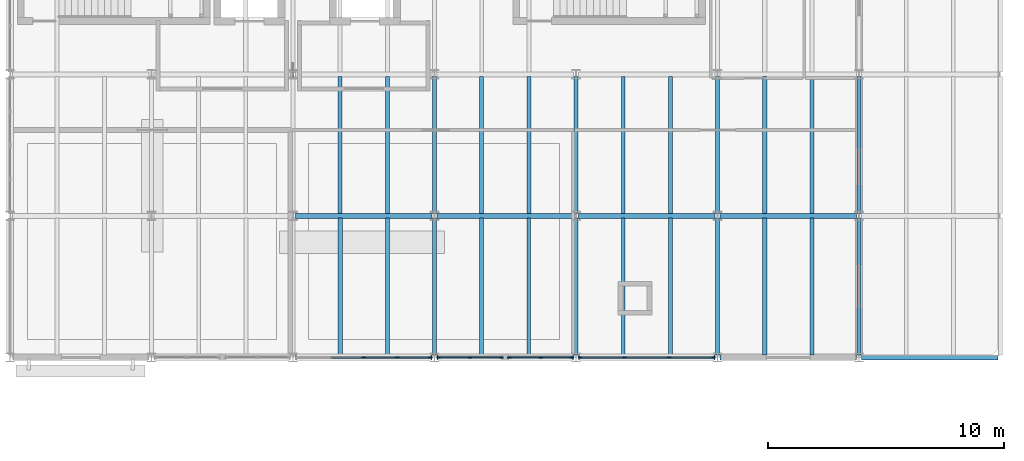
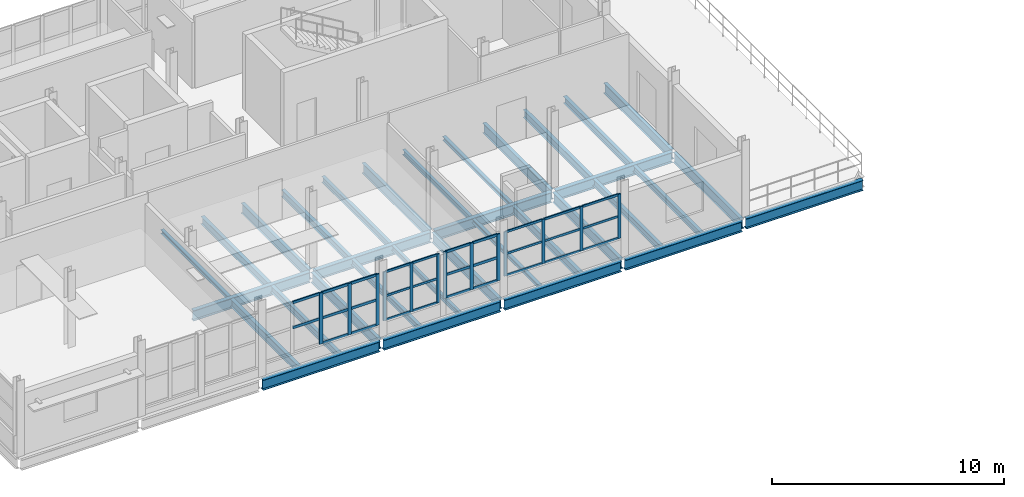
# One storey, part 15 of 45: 42 members, 33 beams, 4 elements without a shape of their own.
"""IFC4 building model written with IfcOpenShell, lengths in metres."""

from ifc_helpers import new_model, si_unit, direction, frame, origin, origin_2d, place, context, subcontext, project, spatial, rectangle, i_section, extrude, material, material_profile, profile_set, type_object, element, aggregate, save


model = new_model("IFC4")

# Units and contexts
model_context = context("Model", 3, precision=1e-05, world=origin(), true_north=direction((0.0, 1.0)))
body_context = subcontext(model_context, "Body", "Model", "MODEL_VIEW")
ifc_project = project(units=[si_unit("LENGTHUNIT", "METRE"), si_unit("AREAUNIT", "SQUARE_METRE"), si_unit("VOLUMEUNIT", "CUBIC_METRE"), si_unit("PLANEANGLEUNIT", "RADIAN"), si_unit("MASSUNIT", "GRAM", prefix="KILO")], contexts=[model_context])

# Site, building, storey
site_placement = place(None, origin())
site = spatial("IfcSite", under=ifc_project, at=site_placement, CompositionType="ELEMENT")
building_placement = place(site_placement, origin())
building = spatial("IfcBuilding", under=site, at=building_placement, Name="Siltcreek Boulevard Central Fire Station", CompositionType="ELEMENT")
storey_placement = place(building_placement, frame((0.0, 0.0, 10.0)))
storey = spatial("IfcBuildingStorey", under=building, at=storey_placement, Name="L03", CompositionType="ELEMENT", Elevation=10.0)

# Beams
ifc_material_1 = material(Name="Structural steel ASTM A992 Gr50", Category="steel")
ifc_material_profile_1 = material_profile(ifc_material_1, i_section(OverallWidth=0.2109375, OverallDepth=0.5390625, WebThickness=0.01171875, FlangeThickness=0.018798828125, at=origin_2d()), Name="W530X109")
ifc_profile_set_1 = profile_set([ifc_material_profile_1], Name="Structural steel ASTM A992 Gr50")
beam_type_1 = type_object("IfcBeamType", Name="BM_W530X109", PredefinedType="BEAM", material=ifc_profile_set_1)
for number, where, z_axis, x_axis, name in (
    (1, (136.300048828125, 88.199951171875, -0.549560546875), (1.0, 0.0, 0.0), (0.0, 1.0, 0.0), "L03 primary steel girder GX-0402"),
    (2, (142.300048828125, 88.199951171875, -0.549560546875), (1.0, 0.0, 0.0), (0.0, 1.0, 0.0), "L03 primary steel girder GX-0403"),
    (3, (148.300048828125, 88.199951171875, -0.549560546875), (1.0, 0.0, 0.0), (0.0, 1.0, 0.0), "L03 primary steel girder GX-0404"),
    (4, (154.300048828125, 88.199951171875, -0.549560546875), (1.0, 0.0, 0.0), (0.0, 1.0, 0.0), "L03 primary steel girder GX-0405"),
    (5, (160.300048828125, 88.199951171875, -0.4794921875), (1.0, 0.0, 0.0), (0.0, 1.0, 0.0), "L03 primary steel girder GX-0406"),
    (6, (136.300048828125, 94.199951171875, -0.549560546875), (1.0, 0.0, 0.0), (0.0, 1.0, 0.0), "L03 primary steel girder GX-0409"),
    (7, (142.300048828125, 94.199951171875, -0.549560546875), (1.0, 0.0, 0.0), (0.0, 1.0, 0.0), "L03 primary steel girder GX-0410"),
    (8, (148.300048828125, 94.199951171875, -0.549560546875), (1.0, 0.0, 0.0), (0.0, 1.0, 0.0), "L03 primary steel girder GX-0411"),
    (9, (154.300048828125, 94.199951171875, -0.549560546875), (1.0, 0.0, 0.0), (0.0, 1.0, 0.0), "L03 primary steel girder GX-0412"),
):
    element("IfcBeam", number, at=place(storey_placement, frame(where, z_axis=z_axis, x_axis=x_axis)), inside=storey, type_object=beam_type_1, Name=name, PredefinedType="BEAM", context=body_context, shape_type="SweptSolid", body=[
        extrude(i_section(OverallWidth=0.2109375, OverallDepth=0.5390625, WebThickness=0.01171875, FlangeThickness=0.018798828125, at=origin_2d()), origin(), (0.0, 0.0, 1.0), 5.800048828125),
    ])
ifc_material_profile_2 = material_profile(ifc_material_1, i_section(OverallWidth=0.166015625, OverallDepth=0.534912109375, WebThickness=0.01025390625, FlangeThickness=0.0166015625, at=origin_2d()), Name="W530X85")
ifc_profile_set_2 = profile_set([ifc_material_profile_2], Name="Structural steel ASTM A992 Gr50")
beam_type_2 = type_object("IfcBeamType", Name="BM_W530X85", PredefinedType="BEAM", material=ifc_profile_set_2)
for number, where, z_axis, x_axis, name in (
    (10, (142.199951171875, 88.300048828125, -0.547607421875), (0.0, 1.0, 0.0), (-1.0, 0.0, 0.0), "L03 primary steel girder GY-0446"),
    (11, (142.199951171875, 94.300048828125, -0.547607421875), (0.0, 1.0, 0.0), (-1.0, 0.0, 0.0), "L03 primary steel girder GY-0447"),
    (12, (148.199951171875, 88.300048828125, -0.547607421875), (0.0, 1.0, 0.0), (-1.0, 0.0, 0.0), "L03 primary steel girder GY-0450"),
    (13, (148.199951171875, 94.300048828125, -0.547607421875), (0.0, 1.0, 0.0), (-1.0, 0.0, 0.0), "L03 primary steel girder GY-0451"),
    (14, (154.199951171875, 88.300048828125, -0.547607421875), (0.0, 1.0, 0.0), (-1.0, 0.0, 0.0), "L03 primary steel girder GY-0453"),
    (15, (154.199951171875, 94.300048828125, -0.547607421875), (0.0, 1.0, 0.0), (-1.0, 0.0, 0.0), "L03 primary steel girder GY-0454"),
    (16, (160.199951171875, 88.300048828125, -0.547607421875), (0.0, 1.0, 0.0), (-1.0, 0.0, 0.0), "L03 primary steel girder GY-0457"),
    (17, (160.199951171875, 94.300048828125, -0.547607421875), (0.0, 1.0, 0.0), (-1.0, 0.0, 0.0), "L03 primary steel girder GY-0458"),
):
    element("IfcBeam", number, at=place(storey_placement, frame(where, z_axis=z_axis, x_axis=x_axis)), inside=storey, type_object=beam_type_2, Name=name, PredefinedType="BEAM", context=body_context, shape_type="SweptSolid", body=[
        extrude(i_section(OverallWidth=0.166015625, OverallDepth=0.534912109375, WebThickness=0.01025390625, FlangeThickness=0.0166015625, at=origin_2d()), origin(), (0.0, 0.0, 1.0), 5.800048828125),
    ])

# Curtain wall, members
ifc_material_2 = material(Name="Anodized aluminum and low-E insulated glazing", Category="aluminium")
curtain_wall_type_1 = type_object("IfcCurtainWallType", Name="CW_SYS_04", PredefinedType="USERDEFINED", material=ifc_material_2)
curtain_wall_1_placement = place(storey_placement, origin())
curtain_wall_1 = element("IfcCurtainWall", 18, at=curtain_wall_1_placement, inside=storey, type_object=curtain_wall_type_1, Name="L03 V5 unitised curtain wall CW-153", ObjectType="CURTAIN WALL", PredefinedType="USERDEFINED")
ifc_material_3 = material(Name="Anodized 6063-T6 aluminum framing", Category="aluminium")
ifc_material_profile_3 = material_profile(ifc_material_3, rectangle(XDim=0.06005859375, YDim=0.14990234375, at=origin_2d()), Name="MULL60X150")
ifc_profile_set_3 = profile_set([ifc_material_profile_3], Name="Anodized 6063-T6 aluminum framing")
member_type_1 = type_object("IfcMemberType", Name="CWM_60X150", PredefinedType="MULLION", material=ifc_profile_set_3)
member_1_placement = place(storey_placement, frame((142.375, 88.199951171875, 0.679931640625), z_axis=(0.0, 0.0, 1.0), x_axis=(0.0, 1.0, 0.0)))
member_1 = element("IfcMember", 19, at=member_1_placement, type_object=member_type_1, Name="CW-153 mullion 1", PredefinedType="MULLION", context=body_context, shape_type="SweptSolid", body=[
    extrude(rectangle(XDim=0.06005859375, YDim=0.14990234375, at=origin_2d()), origin(), (0.0, 0.0, 1.0), 2.569091796875),
])
member_2_placement = place(storey_placement, frame((143.702392578125, 88.199951171875, 0.679931640625), z_axis=(0.0, 0.0, 1.0), x_axis=(0.0, 1.0, 0.0)))
member_2 = element("IfcMember", 20, at=member_2_placement, type_object=member_type_1, Name="CW-153 mullion 2", PredefinedType="MULLION", context=body_context, shape_type="SweptSolid", body=[
    extrude(rectangle(XDim=0.06005859375, YDim=0.14990234375, at=origin_2d()), origin(), (0.0, 0.0, 1.0), 2.569091796875),
])
member_3_placement = place(storey_placement, frame((145.030029296875, 88.199951171875, 0.679931640625), z_axis=(0.0, 0.0, 1.0), x_axis=(0.0, 1.0, 0.0)))
member_3 = element("IfcMember", 21, at=member_3_placement, type_object=member_type_1, Name="CW-153 mullion 3", PredefinedType="MULLION", context=body_context, shape_type="SweptSolid", body=[
    extrude(rectangle(XDim=0.06005859375, YDim=0.14990234375, at=origin_2d()), origin(), (0.0, 0.0, 1.0), 2.569091796875),
])

curtain_wall_type_2 = type_object("IfcCurtainWallType", Name="CW_SYS_06", PredefinedType="USERDEFINED", material=ifc_material_2)
curtain_wall_2_placement = place(storey_placement, origin())
curtain_wall_2 = element("IfcCurtainWall", 22, at=curtain_wall_2_placement, inside=storey, type_object=curtain_wall_type_2, Name="L03 V5 unitised curtain wall CW-155", ObjectType="CURTAIN WALL", PredefinedType="USERDEFINED")
member_4_placement = place(storey_placement, frame((148.375, 88.199951171875, 0.919921875), z_axis=(0.0, 0.0, 1.0), x_axis=(0.0, 1.0, 0.0)))
member_4 = element("IfcMember", 23, at=member_4_placement, type_object=member_type_1, Name="CW-155 mullion 1", PredefinedType="MULLION", context=body_context, shape_type="SweptSolid", body=[
    extrude(rectangle(XDim=0.06005859375, YDim=0.14990234375, at=origin_2d()), origin(), (0.0, 0.0, 1.0), 2.3291015625),
])
member_5_placement = place(storey_placement, frame((150.248291015625, 88.199951171875, 0.919921875), z_axis=(0.0, 0.0, 1.0), x_axis=(0.0, 1.0, 0.0)))
member_5 = element("IfcMember", 24, at=member_5_placement, type_object=member_type_1, Name="CW-155 mullion 2", PredefinedType="MULLION", context=body_context, shape_type="SweptSolid", body=[
    extrude(rectangle(XDim=0.06005859375, YDim=0.14990234375, at=origin_2d()), origin(), (0.0, 0.0, 1.0), 2.3291015625),
])
member_6_placement = place(storey_placement, frame((152.151611328125, 88.199951171875, 0.919921875), z_axis=(0.0, 0.0, 1.0), x_axis=(0.0, 1.0, 0.0)))
member_6 = element("IfcMember", 25, at=member_6_placement, type_object=member_type_1, Name="CW-155 mullion 3", PredefinedType="MULLION", context=body_context, shape_type="SweptSolid", body=[
    extrude(rectangle(XDim=0.06005859375, YDim=0.14990234375, at=origin_2d()), origin(), (0.0, 0.0, 1.0), 2.3291015625),
])
member_7_placement = place(storey_placement, frame((154.02490234375, 88.199951171875, 0.919921875), z_axis=(0.0, 0.0, 1.0), x_axis=(0.0, 1.0, 0.0)))
member_7 = element("IfcMember", 26, at=member_7_placement, type_object=member_type_1, Name="CW-155 mullion 4", PredefinedType="MULLION", context=body_context, shape_type="SweptSolid", body=[
    extrude(rectangle(XDim=0.06005859375, YDim=0.14990234375, at=origin_2d()), origin(), (0.0, 0.0, 1.0), 2.3291015625),
])

curtain_wall_type_3 = type_object("IfcCurtainWallType", Name="CW_SYS_03", PredefinedType="USERDEFINED", material=ifc_material_2)
curtain_wall_3_placement = place(storey_placement, origin())
curtain_wall_3 = element("IfcCurtainWall", 27, at=curtain_wall_3_placement, inside=storey, type_object=curtain_wall_type_3, Name="L03 V5 unitised curtain wall CW-152", ObjectType="CURTAIN WALL", PredefinedType="USERDEFINED")
ifc_material_profile_4 = material_profile(ifc_material_3, rectangle(XDim=0.06494140625, YDim=0.175048828125, at=origin_2d()), Name="MULL65X175")
ifc_profile_set_4 = profile_set([ifc_material_profile_4], Name="Anodized 6063-T6 aluminum framing")
member_type_2 = type_object("IfcMemberType", Name="CWM_65X175", PredefinedType="MULLION", material=ifc_profile_set_4)
member_8_placement = place(storey_placement, frame((139.199951171875, 88.199951171875, 0.56005859375), z_axis=(0.0, 0.0, 1.0), x_axis=(0.0, 1.0, 0.0)))
member_8 = element("IfcMember", 28, at=member_8_placement, type_object=member_type_2, Name="CW-152 mullion 3", PredefinedType="MULLION", context=body_context, shape_type="SweptSolid", body=[
    extrude(rectangle(XDim=0.06494140625, YDim=0.175048828125, at=origin_2d()), origin(), (0.0, 0.0, 1.0), 2.68896484375),
])
member_9_placement = place(storey_placement, frame((140.62744140625, 88.199951171875, 0.56005859375), z_axis=(0.0, 0.0, 1.0), x_axis=(0.0, 1.0, 0.0)))
member_9 = element("IfcMember", 29, at=member_9_placement, type_object=member_type_2, Name="CW-152 mullion 4", PredefinedType="MULLION", context=body_context, shape_type="SweptSolid", body=[
    extrude(rectangle(XDim=0.06494140625, YDim=0.175048828125, at=origin_2d()), origin(), (0.0, 0.0, 1.0), 2.68896484375),
])
member_10_placement = place(storey_placement, frame((142.0224609375, 88.199951171875, 0.56005859375), z_axis=(0.0, 0.0, 1.0), x_axis=(0.0, 1.0, 0.0)))
member_10 = element("IfcMember", 30, at=member_10_placement, type_object=member_type_2, Name="CW-152 mullion 5", PredefinedType="MULLION", context=body_context, shape_type="SweptSolid", body=[
    extrude(rectangle(XDim=0.06494140625, YDim=0.175048828125, at=origin_2d()), origin(), (0.0, 0.0, 1.0), 2.68896484375),
])

curtain_wall_type_4 = type_object("IfcCurtainWallType", Name="CW_SYS_05", PredefinedType="USERDEFINED", material=ifc_material_2)
curtain_wall_4_placement = place(storey_placement, origin())
curtain_wall_4 = element("IfcCurtainWall", 31, at=curtain_wall_4_placement, inside=storey, type_object=curtain_wall_type_4, Name="L03 V5 unitised curtain wall CW-154", ObjectType="CURTAIN WALL", PredefinedType="USERDEFINED")
member_11_placement = place(storey_placement, frame((145.37255859375, 88.199951171875, 0.800048828125), z_axis=(0.0, 0.0, 1.0), x_axis=(0.0, 1.0, 0.0)))
member_11 = element("IfcMember", 32, at=member_11_placement, type_object=member_type_2, Name="CW-154 mullion 1", PredefinedType="MULLION", context=body_context, shape_type="SweptSolid", body=[
    extrude(rectangle(XDim=0.06494140625, YDim=0.175048828125, at=origin_2d()), origin(), (0.0, 0.0, 1.0), 2.448974609375),
])
member_12_placement = place(storey_placement, frame((146.697509765625, 88.199951171875, 0.800048828125), z_axis=(0.0, 0.0, 1.0), x_axis=(0.0, 1.0, 0.0)))
member_12 = element("IfcMember", 33, at=member_12_placement, type_object=member_type_2, Name="CW-154 mullion 2", PredefinedType="MULLION", context=body_context, shape_type="SweptSolid", body=[
    extrude(rectangle(XDim=0.06494140625, YDim=0.175048828125, at=origin_2d()), origin(), (0.0, 0.0, 1.0), 2.448974609375),
])
member_13_placement = place(storey_placement, frame((148.0224609375, 88.199951171875, 0.800048828125), z_axis=(0.0, 0.0, 1.0), x_axis=(0.0, 1.0, 0.0)))
member_13 = element("IfcMember", 34, at=member_13_placement, type_object=member_type_2, Name="CW-154 mullion 3", PredefinedType="MULLION", context=body_context, shape_type="SweptSolid", body=[
    extrude(rectangle(XDim=0.06494140625, YDim=0.175048828125, at=origin_2d()), origin(), (0.0, 0.0, 1.0), 2.448974609375),
])

# Member
ifc_material_profile_5 = material_profile(ifc_material_3, rectangle(XDim=0.06005859375, YDim=0.114990234375, at=origin_2d()), Name="TRAN60X115")
ifc_profile_set_5 = profile_set([ifc_material_profile_5], Name="Anodized 6063-T6 aluminum framing")
member_type_3 = type_object("IfcMemberType", Name="CWT_60X115", PredefinedType="USERDEFINED", material=ifc_profile_set_5)
member_14_placement = place(storey_placement, frame((142.405029296875, 88.199951171875, 0.7099609375), z_axis=(1.0, 0.0, 0.0), x_axis=(0.0, 1.0, 0.0)))
member_14 = element("IfcMember", 35, at=member_14_placement, type_object=member_type_3, Name="CW-153 transom 1.1", ObjectType="TRANSOM", PredefinedType="USERDEFINED", context=body_context, shape_type="SweptSolid", body=[
    extrude(rectangle(XDim=0.06005859375, YDim=0.114990234375, at=origin_2d()), origin(), (0.0, 0.0, 1.0), 1.267578125),
])

member_15_placement = place(storey_placement, frame((142.405029296875, 88.199951171875, 1.964599609375), z_axis=(1.0, 0.0, 0.0), x_axis=(0.0, 1.0, 0.0)))
member_15 = element("IfcMember", 36, at=member_15_placement, type_object=member_type_3, Name="CW-153 transom 1.2", ObjectType="TRANSOM", PredefinedType="USERDEFINED", context=body_context, shape_type="SweptSolid", body=[
    extrude(rectangle(XDim=0.06005859375, YDim=0.114990234375, at=origin_2d()), origin(), (0.0, 0.0, 1.0), 1.267578125),
])

member_16_placement = place(storey_placement, frame((142.405029296875, 88.199951171875, 3.218994140625), z_axis=(1.0, 0.0, 0.0), x_axis=(0.0, 1.0, 0.0)))
member_16 = element("IfcMember", 37, at=member_16_placement, type_object=member_type_3, Name="CW-153 transom 1.3", ObjectType="TRANSOM", PredefinedType="USERDEFINED", context=body_context, shape_type="SweptSolid", body=[
    extrude(rectangle(XDim=0.06005859375, YDim=0.114990234375, at=origin_2d()), origin(), (0.0, 0.0, 1.0), 1.267578125),
])

member_17_placement = place(storey_placement, frame((143.732421875, 88.199951171875, 0.7099609375), z_axis=(1.0, 0.0, 0.0), x_axis=(0.0, 1.0, 0.0)))
member_17 = element("IfcMember", 38, at=member_17_placement, type_object=member_type_3, Name="CW-153 transom 2.1", ObjectType="TRANSOM", PredefinedType="USERDEFINED", context=body_context, shape_type="SweptSolid", body=[
    extrude(rectangle(XDim=0.06005859375, YDim=0.114990234375, at=origin_2d()), origin(), (0.0, 0.0, 1.0), 1.267578125),
])

member_18_placement = place(storey_placement, frame((143.732421875, 88.199951171875, 1.964599609375), z_axis=(1.0, 0.0, 0.0), x_axis=(0.0, 1.0, 0.0)))
member_18 = element("IfcMember", 39, at=member_18_placement, type_object=member_type_3, Name="CW-153 transom 2.2", ObjectType="TRANSOM", PredefinedType="USERDEFINED", context=body_context, shape_type="SweptSolid", body=[
    extrude(rectangle(XDim=0.06005859375, YDim=0.114990234375, at=origin_2d()), origin(), (0.0, 0.0, 1.0), 1.267578125),
])

member_19_placement = place(storey_placement, frame((143.732421875, 88.199951171875, 3.218994140625), z_axis=(1.0, 0.0, 0.0), x_axis=(0.0, 1.0, 0.0)))
member_19 = element("IfcMember", 40, at=member_19_placement, type_object=member_type_3, Name="CW-153 transom 2.3", ObjectType="TRANSOM", PredefinedType="USERDEFINED", context=body_context, shape_type="SweptSolid", body=[
    extrude(rectangle(XDim=0.06005859375, YDim=0.114990234375, at=origin_2d()), origin(), (0.0, 0.0, 1.0), 1.267578125),
])

aggregate(curtain_wall_1, [member_1, member_2, member_3, member_14, member_15, member_16, member_17, member_18, member_19])

member_20_placement = place(storey_placement, frame((148.405029296875, 88.199951171875, 0.949951171875), z_axis=(1.0, 0.0, 0.0), x_axis=(0.0, 1.0, 0.0)))
member_20 = element("IfcMember", 41, at=member_20_placement, type_object=member_type_3, Name="CW-155 transom 1.1", ObjectType="TRANSOM", PredefinedType="USERDEFINED", context=body_context, shape_type="SweptSolid", body=[
    extrude(rectangle(XDim=0.06005859375, YDim=0.114990234375, at=origin_2d()), origin(), (0.0, 0.0, 1.0), 1.813232421875),
])

member_21_placement = place(storey_placement, frame((148.405029296875, 88.199951171875, 2.08447265625), z_axis=(1.0, 0.0, 0.0), x_axis=(0.0, 1.0, 0.0)))
member_21 = element("IfcMember", 42, at=member_21_placement, type_object=member_type_3, Name="CW-155 transom 1.2", ObjectType="TRANSOM", PredefinedType="USERDEFINED", context=body_context, shape_type="SweptSolid", body=[
    extrude(rectangle(XDim=0.06005859375, YDim=0.114990234375, at=origin_2d()), origin(), (0.0, 0.0, 1.0), 1.813232421875),
])

member_22_placement = place(storey_placement, frame((148.405029296875, 88.199951171875, 3.218994140625), z_axis=(1.0, 0.0, 0.0), x_axis=(0.0, 1.0, 0.0)))
member_22 = element("IfcMember", 43, at=member_22_placement, type_object=member_type_3, Name="CW-155 transom 1.3", ObjectType="TRANSOM", PredefinedType="USERDEFINED", context=body_context, shape_type="SweptSolid", body=[
    extrude(rectangle(XDim=0.06005859375, YDim=0.114990234375, at=origin_2d()), origin(), (0.0, 0.0, 1.0), 1.813232421875),
])

member_23_placement = place(storey_placement, frame((150.2783203125, 88.199951171875, 0.949951171875), z_axis=(1.0, 0.0, 0.0), x_axis=(0.0, 1.0, 0.0)))
member_23 = element("IfcMember", 44, at=member_23_placement, type_object=member_type_3, Name="CW-155 transom 2.1", ObjectType="TRANSOM", PredefinedType="USERDEFINED", context=body_context, shape_type="SweptSolid", body=[
    extrude(rectangle(XDim=0.06005859375, YDim=0.114990234375, at=origin_2d()), origin(), (0.0, 0.0, 1.0), 1.84326171875),
])

member_24_placement = place(storey_placement, frame((150.2783203125, 88.199951171875, 2.08447265625), z_axis=(1.0, 0.0, 0.0), x_axis=(0.0, 1.0, 0.0)))
member_24 = element("IfcMember", 45, at=member_24_placement, type_object=member_type_3, Name="CW-155 transom 2.2", ObjectType="TRANSOM", PredefinedType="USERDEFINED", context=body_context, shape_type="SweptSolid", body=[
    extrude(rectangle(XDim=0.06005859375, YDim=0.114990234375, at=origin_2d()), origin(), (0.0, 0.0, 1.0), 1.84326171875),
])

member_25_placement = place(storey_placement, frame((150.2783203125, 88.199951171875, 3.218994140625), z_axis=(1.0, 0.0, 0.0), x_axis=(0.0, 1.0, 0.0)))
member_25 = element("IfcMember", 46, at=member_25_placement, type_object=member_type_3, Name="CW-155 transom 2.3", ObjectType="TRANSOM", PredefinedType="USERDEFINED", context=body_context, shape_type="SweptSolid", body=[
    extrude(rectangle(XDim=0.06005859375, YDim=0.114990234375, at=origin_2d()), origin(), (0.0, 0.0, 1.0), 1.84326171875),
])

member_26_placement = place(storey_placement, frame((152.181640625, 88.199951171875, 0.949951171875), z_axis=(1.0, 0.0, 0.0), x_axis=(0.0, 1.0, 0.0)))
member_26 = element("IfcMember", 47, at=member_26_placement, type_object=member_type_3, Name="CW-155 transom 3.1", ObjectType="TRANSOM", PredefinedType="USERDEFINED", context=body_context, shape_type="SweptSolid", body=[
    extrude(rectangle(XDim=0.06005859375, YDim=0.114990234375, at=origin_2d()), origin(), (0.0, 0.0, 1.0), 1.8134765625),
])

member_27_placement = place(storey_placement, frame((152.181640625, 88.199951171875, 2.08447265625), z_axis=(1.0, 0.0, 0.0), x_axis=(0.0, 1.0, 0.0)))
member_27 = element("IfcMember", 48, at=member_27_placement, type_object=member_type_3, Name="CW-155 transom 3.2", ObjectType="TRANSOM", PredefinedType="USERDEFINED", context=body_context, shape_type="SweptSolid", body=[
    extrude(rectangle(XDim=0.06005859375, YDim=0.114990234375, at=origin_2d()), origin(), (0.0, 0.0, 1.0), 1.8134765625),
])

member_28_placement = place(storey_placement, frame((152.181640625, 88.199951171875, 3.218994140625), z_axis=(1.0, 0.0, 0.0), x_axis=(0.0, 1.0, 0.0)))
member_28 = element("IfcMember", 49, at=member_28_placement, type_object=member_type_3, Name="CW-155 transom 3.3", ObjectType="TRANSOM", PredefinedType="USERDEFINED", context=body_context, shape_type="SweptSolid", body=[
    extrude(rectangle(XDim=0.06005859375, YDim=0.114990234375, at=origin_2d()), origin(), (0.0, 0.0, 1.0), 1.8134765625),
])

aggregate(curtain_wall_2, [member_4, member_5, member_6, member_7, member_20, member_21, member_22, member_23, member_24, member_25, member_26, member_27, member_28])

ifc_material_profile_6 = material_profile(ifc_material_3, rectangle(XDim=0.06494140625, YDim=0.135009765625, at=origin_2d()), Name="TRAN65X135")
ifc_profile_set_6 = profile_set([ifc_material_profile_6], Name="Anodized 6063-T6 aluminum framing")
member_type_4 = type_object("IfcMemberType", Name="CWT_65X135", PredefinedType="USERDEFINED", material=ifc_profile_set_6)
member_29_placement = place(storey_placement, frame((137.804931640625, 88.199951171875, 1.904541015625), z_axis=(1.0, 0.0, 0.0), x_axis=(0.0, 1.0, 0.0)))
member_29 = element("IfcMember", 50, at=member_29_placement, type_object=member_type_4, Name="CW-152 transom 2.2", ObjectType="TRANSOM", PredefinedType="USERDEFINED", context=body_context, shape_type="SweptSolid", body=[
    extrude(rectangle(XDim=0.06494140625, YDim=0.135009765625, at=origin_2d()), origin(), (0.0, 0.0, 1.0), 1.362548828125),
])

member_30_placement = place(storey_placement, frame((137.804931640625, 88.199951171875, 3.216552734375), z_axis=(1.0, 0.0, 0.0), x_axis=(0.0, 1.0, 0.0)))
member_30 = element("IfcMember", 51, at=member_30_placement, type_object=member_type_4, Name="CW-152 transom 2.3", ObjectType="TRANSOM", PredefinedType="USERDEFINED", context=body_context, shape_type="SweptSolid", body=[
    extrude(rectangle(XDim=0.06494140625, YDim=0.135009765625, at=origin_2d()), origin(), (0.0, 0.0, 1.0), 1.362548828125),
])

member_31_placement = place(storey_placement, frame((139.232421875, 88.199951171875, 0.592529296875), z_axis=(1.0, 0.0, 0.0), x_axis=(0.0, 1.0, 0.0)))
member_31 = element("IfcMember", 52, at=member_31_placement, type_object=member_type_4, Name="CW-152 transom 3.1", ObjectType="TRANSOM", PredefinedType="USERDEFINED", context=body_context, shape_type="SweptSolid", body=[
    extrude(rectangle(XDim=0.06494140625, YDim=0.135009765625, at=origin_2d()), origin(), (0.0, 0.0, 1.0), 1.362548828125),
])

member_32_placement = place(storey_placement, frame((139.232421875, 88.199951171875, 1.904541015625), z_axis=(1.0, 0.0, 0.0), x_axis=(0.0, 1.0, 0.0)))
member_32 = element("IfcMember", 53, at=member_32_placement, type_object=member_type_4, Name="CW-152 transom 3.2", ObjectType="TRANSOM", PredefinedType="USERDEFINED", context=body_context, shape_type="SweptSolid", body=[
    extrude(rectangle(XDim=0.06494140625, YDim=0.135009765625, at=origin_2d()), origin(), (0.0, 0.0, 1.0), 1.362548828125),
])

member_33_placement = place(storey_placement, frame((139.232421875, 88.199951171875, 3.216552734375), z_axis=(1.0, 0.0, 0.0), x_axis=(0.0, 1.0, 0.0)))
member_33 = element("IfcMember", 54, at=member_33_placement, type_object=member_type_4, Name="CW-152 transom 3.3", ObjectType="TRANSOM", PredefinedType="USERDEFINED", context=body_context, shape_type="SweptSolid", body=[
    extrude(rectangle(XDim=0.06494140625, YDim=0.135009765625, at=origin_2d()), origin(), (0.0, 0.0, 1.0), 1.362548828125),
])

member_34_placement = place(storey_placement, frame((140.659912109375, 88.199951171875, 0.592529296875), z_axis=(1.0, 0.0, 0.0), x_axis=(0.0, 1.0, 0.0)))
member_34 = element("IfcMember", 55, at=member_34_placement, type_object=member_type_4, Name="CW-152 transom 4.1", ObjectType="TRANSOM", PredefinedType="USERDEFINED", context=body_context, shape_type="SweptSolid", body=[
    extrude(rectangle(XDim=0.06494140625, YDim=0.135009765625, at=origin_2d()), origin(), (0.0, 0.0, 1.0), 1.330078125),
])

member_35_placement = place(storey_placement, frame((140.659912109375, 88.199951171875, 1.904541015625), z_axis=(1.0, 0.0, 0.0), x_axis=(0.0, 1.0, 0.0)))
member_35 = element("IfcMember", 56, at=member_35_placement, type_object=member_type_4, Name="CW-152 transom 4.2", ObjectType="TRANSOM", PredefinedType="USERDEFINED", context=body_context, shape_type="SweptSolid", body=[
    extrude(rectangle(XDim=0.06494140625, YDim=0.135009765625, at=origin_2d()), origin(), (0.0, 0.0, 1.0), 1.330078125),
])

member_36_placement = place(storey_placement, frame((140.659912109375, 88.199951171875, 3.216552734375), z_axis=(1.0, 0.0, 0.0), x_axis=(0.0, 1.0, 0.0)))
member_36 = element("IfcMember", 57, at=member_36_placement, type_object=member_type_4, Name="CW-152 transom 4.3", ObjectType="TRANSOM", PredefinedType="USERDEFINED", context=body_context, shape_type="SweptSolid", body=[
    extrude(rectangle(XDim=0.06494140625, YDim=0.135009765625, at=origin_2d()), origin(), (0.0, 0.0, 1.0), 1.330078125),
])

aggregate(curtain_wall_3, [member_8, member_9, member_10, member_29, member_30, member_31, member_32, member_33, member_34, member_35, member_36])

member_37_placement = place(storey_placement, frame((145.405029296875, 88.199951171875, 0.83251953125), z_axis=(1.0, 0.0, 0.0), x_axis=(0.0, 1.0, 0.0)))
member_37 = element("IfcMember", 58, at=member_37_placement, type_object=member_type_4, Name="CW-154 transom 1.1", ObjectType="TRANSOM", PredefinedType="USERDEFINED", context=body_context, shape_type="SweptSolid", body=[
    extrude(rectangle(XDim=0.06494140625, YDim=0.135009765625, at=origin_2d()), origin(), (0.0, 0.0, 1.0), 1.260009765625),
])

member_38_placement = place(storey_placement, frame((145.405029296875, 88.199951171875, 2.0244140625), z_axis=(1.0, 0.0, 0.0), x_axis=(0.0, 1.0, 0.0)))
member_38 = element("IfcMember", 59, at=member_38_placement, type_object=member_type_4, Name="CW-154 transom 1.2", ObjectType="TRANSOM", PredefinedType="USERDEFINED", context=body_context, shape_type="SweptSolid", body=[
    extrude(rectangle(XDim=0.06494140625, YDim=0.135009765625, at=origin_2d()), origin(), (0.0, 0.0, 1.0), 1.260009765625),
])

member_39_placement = place(storey_placement, frame((145.405029296875, 88.199951171875, 3.216552734375), z_axis=(1.0, 0.0, 0.0), x_axis=(0.0, 1.0, 0.0)))
member_39 = element("IfcMember", 60, at=member_39_placement, type_object=member_type_4, Name="CW-154 transom 1.3", ObjectType="TRANSOM", PredefinedType="USERDEFINED", context=body_context, shape_type="SweptSolid", body=[
    extrude(rectangle(XDim=0.06494140625, YDim=0.135009765625, at=origin_2d()), origin(), (0.0, 0.0, 1.0), 1.260009765625),
])

member_40_placement = place(storey_placement, frame((146.72998046875, 88.199951171875, 0.83251953125), z_axis=(1.0, 0.0, 0.0), x_axis=(0.0, 1.0, 0.0)))
member_40 = element("IfcMember", 61, at=member_40_placement, type_object=member_type_4, Name="CW-154 transom 2.1", ObjectType="TRANSOM", PredefinedType="USERDEFINED", context=body_context, shape_type="SweptSolid", body=[
    extrude(rectangle(XDim=0.06494140625, YDim=0.135009765625, at=origin_2d()), origin(), (0.0, 0.0, 1.0), 1.260009765625),
])

member_41_placement = place(storey_placement, frame((146.72998046875, 88.199951171875, 2.0244140625), z_axis=(1.0, 0.0, 0.0), x_axis=(0.0, 1.0, 0.0)))
member_41 = element("IfcMember", 62, at=member_41_placement, type_object=member_type_4, Name="CW-154 transom 2.2", ObjectType="TRANSOM", PredefinedType="USERDEFINED", context=body_context, shape_type="SweptSolid", body=[
    extrude(rectangle(XDim=0.06494140625, YDim=0.135009765625, at=origin_2d()), origin(), (0.0, 0.0, 1.0), 1.260009765625),
])

member_42_placement = place(storey_placement, frame((146.72998046875, 88.199951171875, 3.216552734375), z_axis=(1.0, 0.0, 0.0), x_axis=(0.0, 1.0, 0.0)))
member_42 = element("IfcMember", 63, at=member_42_placement, type_object=member_type_4, Name="CW-154 transom 2.3", ObjectType="TRANSOM", PredefinedType="USERDEFINED", context=body_context, shape_type="SweptSolid", body=[
    extrude(rectangle(XDim=0.06494140625, YDim=0.135009765625, at=origin_2d()), origin(), (0.0, 0.0, 1.0), 1.260009765625),
])

aggregate(curtain_wall_4, [member_11, member_12, member_13, member_37, member_38, member_39, member_40, member_41, member_42])

# Beams
ifc_material_profile_7 = material_profile(ifc_material_1, i_section(OverallWidth=0.1650390625, OverallDepth=0.200927734375, WebThickness=0.006103515625, FlangeThickness=0.01025390625, at=origin_2d()), Name="W200X36")
ifc_profile_set_7 = profile_set([ifc_material_profile_7], Name="Structural steel ASTM A992 Gr50")
beam_type_3 = type_object("IfcBeamType", Name="JST_W200X36", PredefinedType="JOIST", material=ifc_profile_set_7)
for number, where, z_axis, x_axis, name in (
    (64, (150.199951171875, 88.303466796875, -0.380615234375), (0.0, 1.0, 0.0), (-1.0, 0.0, 0.0), "L03 secondary steel floor joist 0361"),
    (65, (138.199951171875, 94.303466796875, -0.380615234375), (0.0, 1.0, 0.0), (-1.0, 0.0, 0.0), "L03 secondary steel floor joist 0371"),
    (66, (152.199951171875, 94.303466796875, -0.380615234375), (0.0, 1.0, 0.0), (-1.0, 0.0, 0.0), "L03 secondary steel floor joist 0376"),
):
    element("IfcBeam", number, at=place(storey_placement, frame(where, z_axis=z_axis, x_axis=x_axis)), inside=storey, type_object=beam_type_3, Name=name, PredefinedType="JOIST", context=body_context, shape_type="SweptSolid", body=[
        extrude(i_section(OverallWidth=0.1650390625, OverallDepth=0.200927734375, WebThickness=0.006103515625, FlangeThickness=0.01025390625, at=origin_2d()), origin(), (0.0, 0.0, 1.0), 5.79296875),
    ])
ifc_material_profile_8 = material_profile(ifc_material_1, i_section(OverallWidth=0.14697265625, OverallDepth=0.261962890625, WebThickness=0.006591796875, FlangeThickness=0.01123046875, at=origin_2d()), Name="W250X39")
ifc_profile_set_8 = profile_set([ifc_material_profile_8], Name="Structural steel ASTM A992 Gr50")
beam_type_4 = type_object("IfcBeamType", Name="JST_W250X39", PredefinedType="JOIST", material=ifc_profile_set_8)
for number, where, z_axis, x_axis, name in (
    (67, (146.199951171875, 88.303466796875, -0.410888671875), (0.0, 1.0, 0.0), (-1.0, 0.0, 0.0), "L03 secondary steel floor joist 0360"),
    (68, (150.199951171875, 94.303466796875, -0.410888671875), (0.0, 1.0, 0.0), (-1.0, 0.0, 0.0), "L03 secondary steel floor joist 0375"),
):
    element("IfcBeam", number, at=place(storey_placement, frame(where, z_axis=z_axis, x_axis=x_axis)), inside=storey, type_object=beam_type_4, Name=name, PredefinedType="JOIST", context=body_context, shape_type="SweptSolid", body=[
        extrude(i_section(OverallWidth=0.14697265625, OverallDepth=0.261962890625, WebThickness=0.006591796875, FlangeThickness=0.01123046875, at=origin_2d()), origin(), (0.0, 0.0, 1.0), 5.79296875),
    ])
ifc_material_profile_9 = material_profile(ifc_material_1, i_section(OverallWidth=0.166015625, OverallDepth=0.31298828125, WebThickness=0.006591796875, FlangeThickness=0.01123046875, at=origin_2d()), Name="W310X45")
ifc_profile_set_9 = profile_set([ifc_material_profile_9], Name="Structural steel ASTM A992 Gr50")
beam_type_5 = type_object("IfcBeamType", Name="JST_W310X45", PredefinedType="JOIST", material=ifc_profile_set_9)
for number, where, z_axis, x_axis, name in (
    (69, (144.199951171875, 88.303466796875, -0.4365234375), (0.0, 1.0, 0.0), (-1.0, 0.0, 0.0), "L03 secondary steel floor joist 0359"),
    (70, (158.199951171875, 88.303466796875, -0.4365234375), (0.0, 1.0, 0.0), (-1.0, 0.0, 0.0), "L03 secondary steel floor joist 0364"),
    (71, (146.199951171875, 94.303466796875, -0.4365234375), (0.0, 1.0, 0.0), (-1.0, 0.0, 0.0), "L03 secondary steel floor joist 0374"),
):
    element("IfcBeam", number, at=place(storey_placement, frame(where, z_axis=z_axis, x_axis=x_axis)), inside=storey, type_object=beam_type_5, Name=name, PredefinedType="JOIST", context=body_context, shape_type="SweptSolid", body=[
        extrude(i_section(OverallWidth=0.166015625, OverallDepth=0.31298828125, WebThickness=0.006591796875, FlangeThickness=0.01123046875, at=origin_2d()), origin(), (0.0, 0.0, 1.0), 5.79296875),
    ])
ifc_material_profile_10 = material_profile(ifc_material_1, i_section(OverallWidth=0.172119140625, OverallDepth=0.35791015625, WebThickness=0.0078125, FlangeThickness=0.01318359375, at=origin_2d()), Name="W360X57")
ifc_profile_set_10 = profile_set([ifc_material_profile_10], Name="Structural steel ASTM A992 Gr50")
beam_type_6 = type_object("IfcBeamType", Name="JST_W360X57", PredefinedType="JOIST", material=ifc_profile_set_10)
for number, where, z_axis, x_axis, name in (
    (72, (140.199951171875, 88.303466796875, -0.458984375), (0.0, 1.0, 0.0), (-1.0, 0.0, 0.0), "L03 secondary steel floor joist 0358"),
    (73, (156.199951171875, 88.303466796875, -0.458984375), (0.0, 1.0, 0.0), (-1.0, 0.0, 0.0), "L03 secondary steel floor joist 0363"),
    (74, (144.199951171875, 94.303466796875, -0.458984375), (0.0, 1.0, 0.0), (-1.0, 0.0, 0.0), "L03 secondary steel floor joist 0373"),
    (75, (158.199951171875, 94.303466796875, -0.458984375), (0.0, 1.0, 0.0), (-1.0, 0.0, 0.0), "L03 secondary steel floor joist 0378"),
):
    element("IfcBeam", number, at=place(storey_placement, frame(where, z_axis=z_axis, x_axis=x_axis)), inside=storey, type_object=beam_type_6, Name=name, PredefinedType="JOIST", context=body_context, shape_type="SweptSolid", body=[
        extrude(i_section(OverallWidth=0.172119140625, OverallDepth=0.35791015625, WebThickness=0.0078125, FlangeThickness=0.01318359375, at=origin_2d()), origin(), (0.0, 0.0, 1.0), 5.79296875),
    ])
ifc_material_profile_11 = material_profile(ifc_material_1, i_section(OverallWidth=0.177001953125, OverallDepth=0.403076171875, WebThickness=0.007568359375, FlangeThickness=0.010986328125, at=origin_2d()), Name="W410X53")
ifc_profile_set_11 = profile_set([ifc_material_profile_11], Name="Structural steel ASTM A992 Gr50")
beam_type_7 = type_object("IfcBeamType", Name="JST_W410X53", PredefinedType="JOIST", material=ifc_profile_set_11)
for number, where, z_axis, x_axis, name in (
    (76, (138.199951171875, 88.303466796875, -0.4814453125), (0.0, 1.0, 0.0), (-1.0, 0.0, 0.0), "L03 secondary steel floor joist 0357"),
    (77, (152.199951171875, 88.303466796875, -0.4814453125), (0.0, 1.0, 0.0), (-1.0, 0.0, 0.0), "L03 secondary steel floor joist 0362"),
    (78, (140.199951171875, 94.303466796875, -0.4814453125), (0.0, 1.0, 0.0), (-1.0, 0.0, 0.0), "L03 secondary steel floor joist 0372"),
    (79, (156.199951171875, 94.303466796875, -0.4814453125), (0.0, 1.0, 0.0), (-1.0, 0.0, 0.0), "L03 secondary steel floor joist 0377"),
):
    element("IfcBeam", number, at=place(storey_placement, frame(where, z_axis=z_axis, x_axis=x_axis)), inside=storey, type_object=beam_type_7, Name=name, PredefinedType="JOIST", context=body_context, shape_type="SweptSolid", body=[
        extrude(i_section(OverallWidth=0.177001953125, OverallDepth=0.403076171875, WebThickness=0.007568359375, FlangeThickness=0.010986328125, at=origin_2d()), origin(), (0.0, 0.0, 1.0), 5.79296875),
    ])

save(model, "model.ifc")
